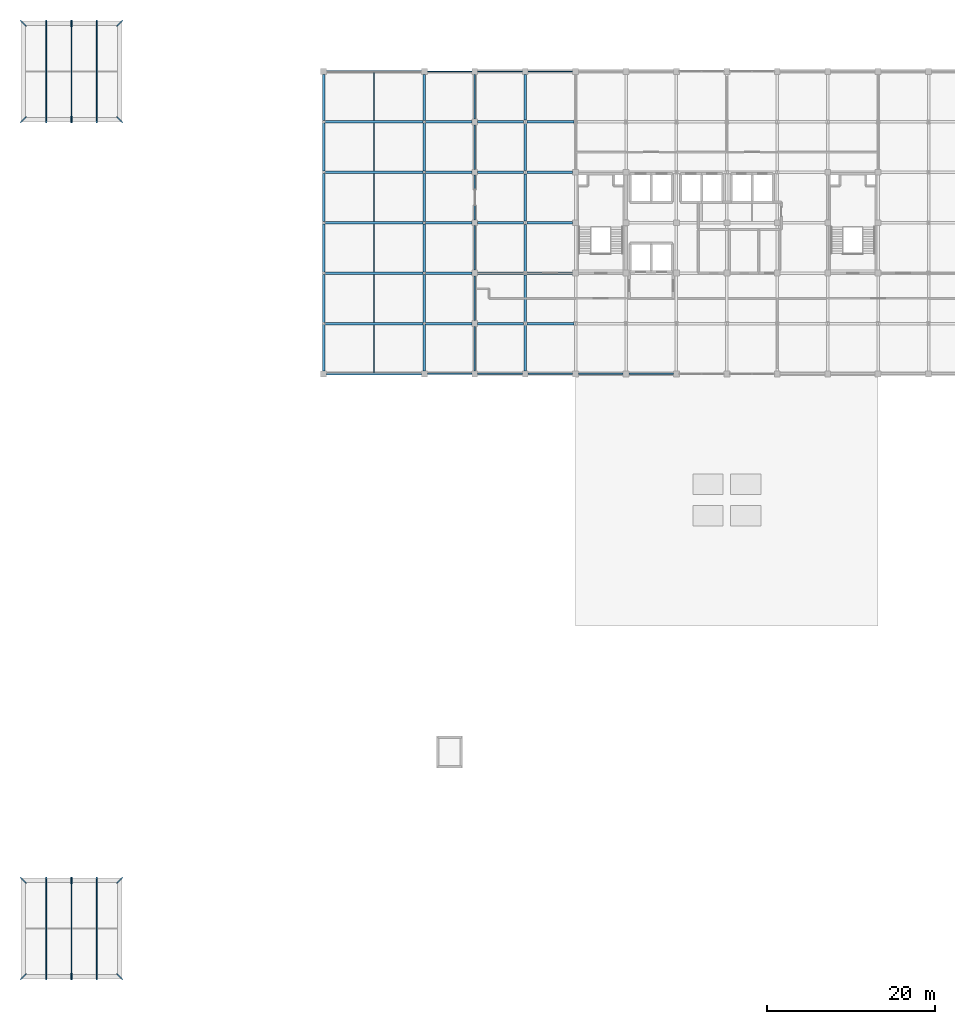
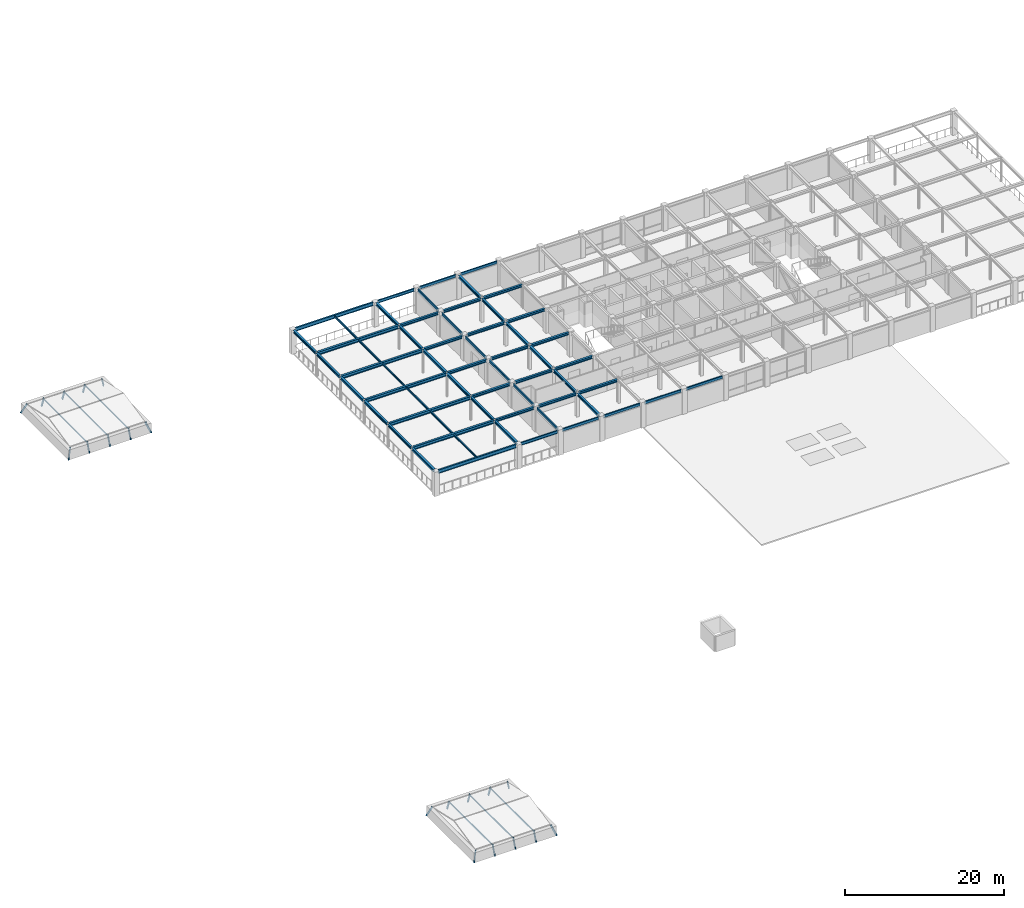
# One storey, part 10 of 25: 60 beams, 26 members.
"""IFC4 building model written with IfcOpenShell, lengths in metres."""

from ifc_helpers import new_model, si_unit, direction, frame, origin, origin_2d, place, context, subcontext, project, spatial, hollow_rectangle, i_section, extrude, material, material_profile, profile_set, type_object, element, save


model = new_model("IFC4")

# Units and contexts
model_context = context("Model", 3, precision=1e-05, world=origin(), true_north=direction((0.0, 1.0)))
body_context = subcontext(model_context, "Body", "Model", "MODEL_VIEW")
ifc_project = project(units=[si_unit("LENGTHUNIT", "METRE"), si_unit("AREAUNIT", "SQUARE_METRE"), si_unit("VOLUMEUNIT", "CUBIC_METRE"), si_unit("PLANEANGLEUNIT", "RADIAN"), si_unit("MASSUNIT", "GRAM", prefix="KILO")], contexts=[model_context])

# Site, building, storey
site_placement = place(None, origin())
site = spatial("IfcSite", under=ifc_project, at=site_placement, CompositionType="ELEMENT")
building_placement = place(site_placement, origin())
building = spatial("IfcBuilding", under=site, at=building_placement, Name="Zlatovratsky Civic Hall", CompositionType="ELEMENT")
storey_placement = place(building_placement, frame((0.0, 0.0, 21.0)))
storey = spatial("IfcBuildingStorey", under=building, at=storey_placement, Name="L05", CompositionType="ELEMENT", Elevation=21.0)

# Beams
ifc_material = material(Name="Steel S355", Category="steel")
ifc_material_profile_1 = material_profile(ifc_material, i_section(OverallWidth=0.300048828125, OverallDepth=0.487060546875, WebThickness=0.014404296875, FlangeThickness=0.017578125, FilletRadius=0.02392578125, at=origin_2d()), Name="50Sh2")
ifc_profile_set_1 = profile_set([ifc_material_profile_1], Name="Steel S355")
beam_type_1 = type_object("IfcBeamType", Name="Beam_ArchiveGirder_50Sh2", PredefinedType="BEAM", material=ifc_profile_set_1)
for number, where, z_axis, x_axis, name in (
    (1, (36.136474609375, 78.0, 3.45654296875), (1.0, 0.0, 0.0), (0.0, 1.0, 0.0), "BM-3923"),
    (2, (36.136474609375, 84.0, 3.45654296875), (1.0, 0.0, 0.0), (0.0, 1.0, 0.0), "BM-3937"),
    (3, (36.136474609375, 90.0, 3.45654296875), (1.0, 0.0, 0.0), (0.0, 1.0, 0.0), "BM-3951"),
    (4, (36.136474609375, 96.0, 3.45654296875), (1.0, 0.0, 0.0), (0.0, 1.0, 0.0), "BM-3963"),
    (5, (36.136474609375, 102.0, 3.45654296875), (1.0, 0.0, 0.0), (0.0, 1.0, 0.0), "BM-3977"),
):
    element("IfcBeam", number, at=place(storey_placement, frame(where, z_axis=z_axis, x_axis=x_axis)), inside=storey, type_object=beam_type_1, Name=name, PredefinedType="BEAM", context=body_context, shape_type="SweptSolid", body=[
        extrude(i_section(OverallWidth=0.300048828125, OverallDepth=0.487060546875, WebThickness=0.014404296875, FlangeThickness=0.017578125, FilletRadius=0.02392578125, at=origin_2d()), origin(), (0.0, 0.0, 1.0), 11.72705078125),
    ])
ifc_material_profile_2 = material_profile(ifc_material, i_section(OverallWidth=0.169921875, OverallDepth=0.446044921875, WebThickness=0.007568359375, FlangeThickness=0.010986328125, FilletRadius=0.01611328125, at=origin_2d()), Name="45B1")
ifc_profile_set_2 = profile_set([ifc_material_profile_2], Name="Steel S355")
beam_type_2 = type_object("IfcBeamType", Name="Beam_Spandrel_45B1", PredefinedType="SPANDREL", material=ifc_profile_set_2)
for number, where, z_axis, x_axis, name in (
    (6, (48.35009765625, 72.0, 3.47705078125), (1.0, 0.0, 0.0), (0.0, 1.0, 0.0), "BM-3910"),
    (7, (54.35009765625, 72.0, 3.47705078125), (1.0, 0.0, 0.0), (0.0, 1.0, 0.0), "BM-3911"),
    (8, (60.35009765625, 72.0, 3.47705078125), (1.0, 0.0, 0.0), (0.0, 1.0, 0.0), "BM-3912"),
    (9, (66.35009765625, 72.0, 3.47705078125), (1.0, 0.0, 0.0), (0.0, 1.0, 0.0), "BM-3913"),
    (10, (72.35009765625, 72.0, 3.47705078125), (1.0, 0.0, 0.0), (0.0, 1.0, 0.0), "BM-3914"),
    (11, (48.35009765625, 108.0, 3.47705078125), (1.0, 0.0, 0.0), (0.0, 1.0, 0.0), "BM-3992"),
    (12, (54.35009765625, 108.0, 3.47705078125), (1.0, 0.0, 0.0), (0.0, 1.0, 0.0), "BM-3993"),
    (13, (60.35009765625, 108.0, 3.47705078125), (1.0, 0.0, 0.0), (0.0, 1.0, 0.0), "BM-3994"),
    (14, (54.0, 72.35009765625, 3.47705078125), (0.0, 1.0, 0.0), (-1.0, 0.0, 0.0), "BM-4017"),
    (15, (54.0, 78.35009765625, 3.47705078125), (0.0, 1.0, 0.0), (-1.0, 0.0, 0.0), "BM-4018"),
    (16, (54.0, 84.35009765625, 3.47705078125), (0.0, 1.0, 0.0), (-1.0, 0.0, 0.0), "BM-4019"),
    (17, (54.0, 90.35009765625, 3.47705078125), (0.0, 1.0, 0.0), (-1.0, 0.0, 0.0), "BM-4020"),
    (18, (54.0, 96.35009765625, 3.47705078125), (0.0, 1.0, 0.0), (-1.0, 0.0, 0.0), "BM-4021"),
    (19, (54.0, 102.35009765625, 3.47705078125), (0.0, 1.0, 0.0), (-1.0, 0.0, 0.0), "BM-4022"),
):
    element("IfcBeam", number, at=place(storey_placement, frame(where, z_axis=z_axis, x_axis=x_axis)), inside=storey, type_object=beam_type_2, Name=name, PredefinedType="SPANDREL", context=body_context, shape_type="SweptSolid", body=[
        extrude(i_section(OverallWidth=0.169921875, OverallDepth=0.446044921875, WebThickness=0.007568359375, FlangeThickness=0.010986328125, FilletRadius=0.01611328125, at=origin_2d()), origin(), (0.0, 0.0, 1.0), 5.2998046875),
    ])
ifc_material_profile_3 = material_profile(ifc_material, i_section(OverallWidth=0.219970703125, OverallDepth=0.54296875, WebThickness=0.009521484375, FlangeThickness=0.013427734375, FilletRadius=0.01806640625, at=origin_2d()), Name="55B1")
ifc_profile_set_3 = profile_set([ifc_material_profile_3], Name="Steel S355")
beam_type_3 = type_object("IfcBeamType", Name="Beam_Spandrel_55B1", PredefinedType="SPANDREL", material=ifc_profile_set_3)
for number, where, z_axis, x_axis, name in (
    (20, (36.35009765625, 72.0, 3.428466796875), (1.0, 0.0, 0.0), (0.0, 1.0, 0.0), "BM-3909"),
    (21, (36.35009765625, 108.0, 3.428466796875), (1.0, 0.0, 0.0), (0.0, 1.0, 0.0), "BM-3991"),
):
    element("IfcBeam", number, at=place(storey_placement, frame(where, z_axis=z_axis, x_axis=x_axis)), inside=storey, type_object=beam_type_3, Name=name, PredefinedType="SPANDREL", context=body_context, shape_type="SweptSolid", body=[
        extrude(i_section(OverallWidth=0.219970703125, OverallDepth=0.54296875, WebThickness=0.009521484375, FlangeThickness=0.013427734375, FilletRadius=0.01806640625, at=origin_2d()), origin(), (0.0, 0.0, 1.0), 11.2998046875),
    ])
ifc_material_profile_4 = material_profile(ifc_material, i_section(OverallWidth=0.300048828125, OverallDepth=0.387939453125, WebThickness=0.009521484375, FlangeThickness=0.013916015625, FilletRadius=0.02197265625, at=origin_2d()), Name="40Sh1")
ifc_profile_set_4 = profile_set([ifc_material_profile_4], Name="Steel S355")
beam_type_4 = type_object("IfcBeamType", Name="Beam_TowerMid_40Sh1", PredefinedType="BEAM", material=ifc_profile_set_4)
beam_1_placement = place(storey_placement, frame((48.136474609375, 78.0, 3.506103515625), z_axis=(1.0, 0.0, 0.0), x_axis=(0.0, 1.0, 0.0)))
element("IfcBeam", 22, at=beam_1_placement, inside=storey, type_object=beam_type_4, Name="BM-3924", PredefinedType="BEAM", context=body_context, shape_type="SweptSolid", body=[
    extrude(i_section(OverallWidth=0.300048828125, OverallDepth=0.387939453125, WebThickness=0.009521484375, FlangeThickness=0.013916015625, FilletRadius=0.02197265625, at=origin_2d()), origin(), (0.0, 0.0, 1.0), 5.513427734375),
])
beam_2_placement = place(storey_placement, frame((54.35009765625, 78.0, 3.506103515625), z_axis=(1.0, 0.0, 0.0), x_axis=(0.0, 1.0, 0.0)))
element("IfcBeam", 23, at=beam_2_placement, inside=storey, type_object=beam_type_4, Name="BM-3925", PredefinedType="BEAM", context=body_context, shape_type="SweptSolid", body=[
    extrude(i_section(OverallWidth=0.300048828125, OverallDepth=0.387939453125, WebThickness=0.009521484375, FlangeThickness=0.013916015625, FilletRadius=0.02197265625, at=origin_2d()), origin(), (0.0, 0.0, 1.0), 5.449951171875),
])
beam_3_placement = place(storey_placement, frame((60.199951171875, 78.0, 3.506103515625), z_axis=(1.0, 0.0, 0.0), x_axis=(0.0, 1.0, 0.0)))
element("IfcBeam", 24, at=beam_3_placement, inside=storey, type_object=beam_type_4, Name="BM-3926", PredefinedType="BEAM", context=body_context, shape_type="SweptSolid", body=[
    extrude(i_section(OverallWidth=0.300048828125, OverallDepth=0.387939453125, WebThickness=0.009521484375, FlangeThickness=0.013916015625, FilletRadius=0.02197265625, at=origin_2d()), origin(), (0.0, 0.0, 1.0), 5.60009765625),
])
beam_4_placement = place(storey_placement, frame((48.136474609375, 84.0, 3.506103515625), z_axis=(1.0, 0.0, 0.0), x_axis=(0.0, 1.0, 0.0)))
element("IfcBeam", 25, at=beam_4_placement, inside=storey, type_object=beam_type_4, Name="BM-3938", PredefinedType="BEAM", context=body_context, shape_type="SweptSolid", body=[
    extrude(i_section(OverallWidth=0.300048828125, OverallDepth=0.387939453125, WebThickness=0.009521484375, FlangeThickness=0.013916015625, FilletRadius=0.02197265625, at=origin_2d()), origin(), (0.0, 0.0, 1.0), 5.513427734375),
])
for number, where, z_axis, x_axis, name in (
    (26, (54.35009765625, 84.0, 3.506103515625), (1.0, 0.0, 0.0), (0.0, 1.0, 0.0), "BM-3939"),
    (27, (60.199951171875, 84.0, 3.506103515625), (1.0, 0.0, 0.0), (0.0, 1.0, 0.0), "BM-3940"),
):
    element("IfcBeam", number, at=place(storey_placement, frame(where, z_axis=z_axis, x_axis=x_axis)), inside=storey, type_object=beam_type_4, Name=name, PredefinedType="BEAM", context=body_context, shape_type="SweptSolid", body=[
        extrude(i_section(OverallWidth=0.300048828125, OverallDepth=0.387939453125, WebThickness=0.009521484375, FlangeThickness=0.013916015625, FilletRadius=0.02197265625, at=origin_2d()), origin(), (0.0, 0.0, 1.0), 5.449951171875),
    ])
beam_5_placement = place(storey_placement, frame((48.136474609375, 90.0, 3.506103515625), z_axis=(1.0, 0.0, 0.0), x_axis=(0.0, 1.0, 0.0)))
element("IfcBeam", 28, at=beam_5_placement, inside=storey, type_object=beam_type_4, Name="BM-3952", PredefinedType="BEAM", context=body_context, shape_type="SweptSolid", body=[
    extrude(i_section(OverallWidth=0.300048828125, OverallDepth=0.387939453125, WebThickness=0.009521484375, FlangeThickness=0.013916015625, FilletRadius=0.02197265625, at=origin_2d()), origin(), (0.0, 0.0, 1.0), 5.513427734375),
])
for number, where, z_axis, x_axis, name in (
    (29, (54.35009765625, 90.0, 3.506103515625), (1.0, 0.0, 0.0), (0.0, 1.0, 0.0), "BM-3953"),
    (30, (60.199951171875, 90.0, 3.506103515625), (1.0, 0.0, 0.0), (0.0, 1.0, 0.0), "BM-3954"),
):
    element("IfcBeam", number, at=place(storey_placement, frame(where, z_axis=z_axis, x_axis=x_axis)), inside=storey, type_object=beam_type_4, Name=name, PredefinedType="BEAM", context=body_context, shape_type="SweptSolid", body=[
        extrude(i_section(OverallWidth=0.300048828125, OverallDepth=0.387939453125, WebThickness=0.009521484375, FlangeThickness=0.013916015625, FilletRadius=0.02197265625, at=origin_2d()), origin(), (0.0, 0.0, 1.0), 5.449951171875),
    ])
beam_6_placement = place(storey_placement, frame((48.136474609375, 96.0, 3.506103515625), z_axis=(1.0, 0.0, 0.0), x_axis=(0.0, 1.0, 0.0)))
element("IfcBeam", 31, at=beam_6_placement, inside=storey, type_object=beam_type_4, Name="BM-3964", PredefinedType="BEAM", context=body_context, shape_type="SweptSolid", body=[
    extrude(i_section(OverallWidth=0.300048828125, OverallDepth=0.387939453125, WebThickness=0.009521484375, FlangeThickness=0.013916015625, FilletRadius=0.02197265625, at=origin_2d()), origin(), (0.0, 0.0, 1.0), 5.513427734375),
])
for number, where, z_axis, x_axis, name in (
    (32, (54.35009765625, 96.0, 3.506103515625), (1.0, 0.0, 0.0), (0.0, 1.0, 0.0), "BM-3965"),
    (33, (60.199951171875, 96.0, 3.506103515625), (1.0, 0.0, 0.0), (0.0, 1.0, 0.0), "BM-3966"),
):
    element("IfcBeam", number, at=place(storey_placement, frame(where, z_axis=z_axis, x_axis=x_axis)), inside=storey, type_object=beam_type_4, Name=name, PredefinedType="BEAM", context=body_context, shape_type="SweptSolid", body=[
        extrude(i_section(OverallWidth=0.300048828125, OverallDepth=0.387939453125, WebThickness=0.009521484375, FlangeThickness=0.013916015625, FilletRadius=0.02197265625, at=origin_2d()), origin(), (0.0, 0.0, 1.0), 5.449951171875),
    ])
beam_7_placement = place(storey_placement, frame((48.136474609375, 102.0, 3.506103515625), z_axis=(1.0, 0.0, 0.0), x_axis=(0.0, 1.0, 0.0)))
element("IfcBeam", 34, at=beam_7_placement, inside=storey, type_object=beam_type_4, Name="BM-3978", PredefinedType="BEAM", context=body_context, shape_type="SweptSolid", body=[
    extrude(i_section(OverallWidth=0.300048828125, OverallDepth=0.387939453125, WebThickness=0.009521484375, FlangeThickness=0.013916015625, FilletRadius=0.02197265625, at=origin_2d()), origin(), (0.0, 0.0, 1.0), 5.513427734375),
])
beam_8_placement = place(storey_placement, frame((54.35009765625, 102.0, 3.506103515625), z_axis=(1.0, 0.0, 0.0), x_axis=(0.0, 1.0, 0.0)))
element("IfcBeam", 35, at=beam_8_placement, inside=storey, type_object=beam_type_4, Name="BM-3979", PredefinedType="BEAM", context=body_context, shape_type="SweptSolid", body=[
    extrude(i_section(OverallWidth=0.300048828125, OverallDepth=0.387939453125, WebThickness=0.009521484375, FlangeThickness=0.013916015625, FilletRadius=0.02197265625, at=origin_2d()), origin(), (0.0, 0.0, 1.0), 5.449951171875),
])
beam_9_placement = place(storey_placement, frame((60.199951171875, 102.0, 3.506103515625), z_axis=(1.0, 0.0, 0.0), x_axis=(0.0, 1.0, 0.0)))
element("IfcBeam", 36, at=beam_9_placement, inside=storey, type_object=beam_type_4, Name="BM-3980", PredefinedType="BEAM", context=body_context, shape_type="SweptSolid", body=[
    extrude(i_section(OverallWidth=0.300048828125, OverallDepth=0.387939453125, WebThickness=0.009521484375, FlangeThickness=0.013916015625, FilletRadius=0.02197265625, at=origin_2d()), origin(), (0.0, 0.0, 1.0), 5.60009765625),
])
beam_10_placement = place(storey_placement, frame((36.0, 72.35009765625, 3.506103515625), z_axis=(0.0, 1.0, 0.0), x_axis=(-1.0, 0.0, 0.0)))
element("IfcBeam", 37, at=beam_10_placement, inside=storey, type_object=beam_type_4, Name="BM-4005", PredefinedType="BEAM", context=body_context, shape_type="SweptSolid", body=[
    extrude(i_section(OverallWidth=0.300048828125, OverallDepth=0.387939453125, WebThickness=0.009521484375, FlangeThickness=0.013916015625, FilletRadius=0.02197265625, at=origin_2d()), origin(), (0.0, 0.0, 1.0), 5.513427734375),
])
for number, where, z_axis, x_axis, name in (
    (38, (36.0, 78.136474609375, 3.506103515625), (0.0, 1.0, 0.0), (-1.0, 0.0, 0.0), "BM-4006"),
    (39, (36.0, 84.136474609375, 3.506103515625), (0.0, 1.0, 0.0), (-1.0, 0.0, 0.0), "BM-4007"),
    (40, (36.0, 90.136474609375, 3.506103515625), (0.0, 1.0, 0.0), (-1.0, 0.0, 0.0), "BM-4008"),
    (41, (36.0, 96.136474609375, 3.506103515625), (0.0, 1.0, 0.0), (-1.0, 0.0, 0.0), "BM-4009"),
):
    element("IfcBeam", number, at=place(storey_placement, frame(where, z_axis=z_axis, x_axis=x_axis)), inside=storey, type_object=beam_type_4, Name=name, PredefinedType="BEAM", context=body_context, shape_type="SweptSolid", body=[
        extrude(i_section(OverallWidth=0.300048828125, OverallDepth=0.387939453125, WebThickness=0.009521484375, FlangeThickness=0.013916015625, FilletRadius=0.02197265625, at=origin_2d()), origin(), (0.0, 0.0, 1.0), 5.72705078125),
    ])
for number, where, z_axis, x_axis, name in (
    (42, (36.0, 102.136474609375, 3.506103515625), (0.0, 1.0, 0.0), (-1.0, 0.0, 0.0), "BM-4010"),
    (43, (48.0, 72.35009765625, 3.506103515625), (0.0, 1.0, 0.0), (-1.0, 0.0, 0.0), "BM-4011"),
):
    element("IfcBeam", number, at=place(storey_placement, frame(where, z_axis=z_axis, x_axis=x_axis)), inside=storey, type_object=beam_type_4, Name=name, PredefinedType="BEAM", context=body_context, shape_type="SweptSolid", body=[
        extrude(i_section(OverallWidth=0.300048828125, OverallDepth=0.387939453125, WebThickness=0.009521484375, FlangeThickness=0.013916015625, FilletRadius=0.02197265625, at=origin_2d()), origin(), (0.0, 0.0, 1.0), 5.513427734375),
    ])
for number, where, z_axis, x_axis, name in (
    (44, (48.0, 78.136474609375, 3.506103515625), (0.0, 1.0, 0.0), (-1.0, 0.0, 0.0), "BM-4012"),
    (45, (48.0, 84.136474609375, 3.506103515625), (0.0, 1.0, 0.0), (-1.0, 0.0, 0.0), "BM-4013"),
    (46, (48.0, 90.136474609375, 3.506103515625), (0.0, 1.0, 0.0), (-1.0, 0.0, 0.0), "BM-4014"),
    (47, (48.0, 96.136474609375, 3.506103515625), (0.0, 1.0, 0.0), (-1.0, 0.0, 0.0), "BM-4015"),
):
    element("IfcBeam", number, at=place(storey_placement, frame(where, z_axis=z_axis, x_axis=x_axis)), inside=storey, type_object=beam_type_4, Name=name, PredefinedType="BEAM", context=body_context, shape_type="SweptSolid", body=[
        extrude(i_section(OverallWidth=0.300048828125, OverallDepth=0.387939453125, WebThickness=0.009521484375, FlangeThickness=0.013916015625, FilletRadius=0.02197265625, at=origin_2d()), origin(), (0.0, 0.0, 1.0), 5.72705078125),
    ])
beam_11_placement = place(storey_placement, frame((48.0, 102.136474609375, 3.506103515625), z_axis=(0.0, 1.0, 0.0), x_axis=(-1.0, 0.0, 0.0)))
element("IfcBeam", 48, at=beam_11_placement, inside=storey, type_object=beam_type_4, Name="BM-4016", PredefinedType="BEAM", context=body_context, shape_type="SweptSolid", body=[
    extrude(i_section(OverallWidth=0.300048828125, OverallDepth=0.387939453125, WebThickness=0.009521484375, FlangeThickness=0.013916015625, FilletRadius=0.02197265625, at=origin_2d()), origin(), (0.0, 0.0, 1.0), 5.513427734375),
])
beam_12_placement = place(storey_placement, frame((60.0, 72.35009765625, 3.506103515625), z_axis=(0.0, 1.0, 0.0), x_axis=(-1.0, 0.0, 0.0)))
element("IfcBeam", 49, at=beam_12_placement, inside=storey, type_object=beam_type_4, Name="BM-4023", PredefinedType="BEAM", context=body_context, shape_type="SweptSolid", body=[
    extrude(i_section(OverallWidth=0.300048828125, OverallDepth=0.387939453125, WebThickness=0.009521484375, FlangeThickness=0.013916015625, FilletRadius=0.02197265625, at=origin_2d()), origin(), (0.0, 0.0, 1.0), 5.449951171875),
])
for number, where, z_axis, x_axis, name in (
    (50, (60.0, 78.199951171875, 3.506103515625), (0.0, 1.0, 0.0), (-1.0, 0.0, 0.0), "BM-4024"),
    (51, (60.0, 84.199951171875, 3.506103515625), (0.0, 1.0, 0.0), (-1.0, 0.0, 0.0), "BM-4025"),
    (52, (60.0, 90.199951171875, 3.506103515625), (0.0, 1.0, 0.0), (-1.0, 0.0, 0.0), "BM-4026"),
    (53, (60.0, 96.199951171875, 3.506103515625), (0.0, 1.0, 0.0), (-1.0, 0.0, 0.0), "BM-4027"),
):
    element("IfcBeam", number, at=place(storey_placement, frame(where, z_axis=z_axis, x_axis=x_axis)), inside=storey, type_object=beam_type_4, Name=name, PredefinedType="BEAM", context=body_context, shape_type="SweptSolid", body=[
        extrude(i_section(OverallWidth=0.300048828125, OverallDepth=0.387939453125, WebThickness=0.009521484375, FlangeThickness=0.013916015625, FilletRadius=0.02197265625, at=origin_2d()), origin(), (0.0, 0.0, 1.0), 5.60009765625),
    ])
beam_13_placement = place(storey_placement, frame((60.0, 102.199951171875, 3.506103515625), z_axis=(0.0, 1.0, 0.0), x_axis=(-1.0, 0.0, 0.0)))
element("IfcBeam", 54, at=beam_13_placement, inside=storey, type_object=beam_type_4, Name="BM-4028", PredefinedType="BEAM", context=body_context, shape_type="SweptSolid", body=[
    extrude(i_section(OverallWidth=0.300048828125, OverallDepth=0.387939453125, WebThickness=0.009521484375, FlangeThickness=0.013916015625, FilletRadius=0.02197265625, at=origin_2d()), origin(), (0.0, 0.0, 1.0), 5.449951171875),
])

# Members
ifc_material_profile_5 = material_profile(ifc_material, hollow_rectangle(XDim=0.10009765625, YDim=0.179931640625, WallThickness=0.008056640625, at=origin_2d()), Name="RHS 180x100x8")
ifc_profile_set_5 = profile_set([ifc_material_profile_5], Name="Steel S355")
member_type_1 = type_object("IfcMemberType", Name="Collar_MansardTie_RHS180", PredefinedType="COLLAR", material=ifc_profile_set_5)
for number, where, z_axis, x_axis, name in (
    (55, (3.0, 0.550048828125, 1.080078125), (0.0, 1.0, 0.0), (-1.0, 0.0, 0.0), "MB-0005"),
    (56, (6.0, 0.550048828125, 1.080078125), (0.0, 1.0, 0.0), (-1.0, 0.0, 0.0), "MB-0008"),
    (57, (9.0, 0.550048828125, 1.080078125), (0.0, 1.0, 0.0), (-1.0, 0.0, 0.0), "MB-0011"),
    (58, (3.0, 102.550048828125, 1.080078125), (0.0, 1.0, 0.0), (-1.0, 0.0, 0.0), "MB-0031"),
    (59, (6.0, 102.550048828125, 1.080078125), (0.0, 1.0, 0.0), (-1.0, 0.0, 0.0), "MB-0034"),
    (60, (9.0, 102.550048828125, 1.080078125), (0.0, 1.0, 0.0), (-1.0, 0.0, 0.0), "MB-0037"),
):
    element("IfcMember", number, at=place(storey_placement, frame(where, z_axis=z_axis, x_axis=x_axis)), inside=storey, type_object=member_type_1, Name=name, PredefinedType="COLLAR", context=body_context, shape_type="SweptSolid", body=[
        extrude(hollow_rectangle(XDim=0.10009765625, YDim=0.179931640625, WallThickness=0.008056640625, at=origin_2d()), origin(), (0.0, 0.0, 1.0), 10.89990234375),
    ])

# Beams
ifc_material_profile_6 = material_profile(ifc_material, i_section(OverallWidth=0.14892578125, OverallDepth=0.2958984375, WebThickness=0.005615234375, FlangeThickness=0.008056640625, FilletRadius=0.012939453125, at=origin_2d()), Name="30B1")
ifc_profile_set_6 = profile_set([ifc_material_profile_6], Name="Steel S355")
beam_type_5 = type_object("IfcBeamType", Name="Joist_Tower_30B1", PredefinedType="JOIST", material=ifc_profile_set_6)
beam_14_placement = place(storey_placement, frame((42.0, 72.110107421875, 3.552001953125), z_axis=(0.0, 1.0, 0.0), x_axis=(-1.0, 0.0, 0.0)))
element("IfcBeam", 61, at=beam_14_placement, inside=storey, type_object=beam_type_5, Name="BM-4095", PredefinedType="JOIST", context=body_context, shape_type="SweptSolid", body=[
    extrude(i_section(OverallWidth=0.14892578125, OverallDepth=0.2958984375, WebThickness=0.005615234375, FlangeThickness=0.008056640625, FilletRadius=0.012939453125, at=origin_2d()), origin(), (0.0, 0.0, 1.0), 5.739990234375),
])
for number, where, z_axis, x_axis, name in (
    (62, (42.0, 78.14990234375, 3.552001953125), (0.0, 1.0, 0.0), (-1.0, 0.0, 0.0), "BM-4097"),
    (63, (42.0, 84.14990234375, 3.552001953125), (0.0, 1.0, 0.0), (-1.0, 0.0, 0.0), "BM-4099"),
    (64, (42.0, 90.14990234375, 3.552001953125), (0.0, 1.0, 0.0), (-1.0, 0.0, 0.0), "BM-4101"),
    (65, (42.0, 96.14990234375, 3.552001953125), (0.0, 1.0, 0.0), (-1.0, 0.0, 0.0), "BM-4105"),
):
    element("IfcBeam", number, at=place(storey_placement, frame(where, z_axis=z_axis, x_axis=x_axis)), inside=storey, type_object=beam_type_5, Name=name, PredefinedType="JOIST", context=body_context, shape_type="SweptSolid", body=[
        extrude(i_section(OverallWidth=0.14892578125, OverallDepth=0.2958984375, WebThickness=0.005615234375, FlangeThickness=0.008056640625, FilletRadius=0.012939453125, at=origin_2d()), origin(), (0.0, 0.0, 1.0), 5.7001953125),
    ])
beam_15_placement = place(storey_placement, frame((42.0, 102.14990234375, 3.552001953125), z_axis=(0.0, 1.0, 0.0), x_axis=(-1.0, 0.0, 0.0)))
element("IfcBeam", 66, at=beam_15_placement, inside=storey, type_object=beam_type_5, Name="BM-4107", PredefinedType="JOIST", context=body_context, shape_type="SweptSolid", body=[
    extrude(i_section(OverallWidth=0.14892578125, OverallDepth=0.2958984375, WebThickness=0.005615234375, FlangeThickness=0.008056640625, FilletRadius=0.012939453125, at=origin_2d()), origin(), (0.0, 0.0, 1.0), 5.739990234375),
])

# Members
ifc_material_profile_7 = material_profile(ifc_material, hollow_rectangle(XDim=0.139892578125, YDim=0.239990234375, WallThickness=0.010009765625, at=origin_2d()), Name="RHS 240x140x10")
ifc_profile_set_7 = profile_set([ifc_material_profile_7], Name="Steel S355")
member_type_2 = type_object("IfcMemberType", Name="Rafter_MansardPodium_RHS240", PredefinedType="RAFTER", material=ifc_profile_set_7)
for number, where, z_axis, x_axis, name in (
    (67, (0.0, 0.0, -0.300048828125), (0.325529249466, 0.325529249466, 0.887728232898), (-0.707106781187, 0.707106781187, 0.0), "MB-0001"),
    (68, (0.0, 12.0, -0.300048828125), (0.325529249466, -0.325529249466, 0.887728232898), (0.707106781187, 0.707106781187, 0.0), "MB-0002"),
):
    element("IfcMember", number, at=place(storey_placement, frame(where, z_axis=z_axis, x_axis=x_axis)), inside=storey, type_object=member_type_2, Name=name, PredefinedType="RAFTER", context=body_context, shape_type="SweptSolid", body=[
        extrude(hollow_rectangle(XDim=0.139892578125, YDim=0.239990234375, WallThickness=0.010009765625, at=origin_2d()), origin(), (0.0, 0.0, 1.0), 1.689697265625),
    ])
for number, where, z_axis, x_axis, name in (
    (69, (3.0, 0.0, -0.300048828125), (0.0, 0.344281589127, 0.93886643746), (-1.0, 0.0, 0.0), "MB-0003"),
    (70, (3.0, 12.0, -0.300048828125), (0.0, -0.344281589127, 0.93886643746), (1.0, 0.0, 0.0), "MB-0004"),
    (71, (6.0, 0.0, -0.300048828125), (0.0, 0.344281589127, 0.93886643746), (-1.0, 0.0, 0.0), "MB-0006"),
    (72, (6.0, 12.0, -0.300048828125), (0.0, -0.344281589127, 0.93886643746), (1.0, 0.0, 0.0), "MB-0007"),
    (73, (9.0, 0.0, -0.300048828125), (0.0, 0.344281589127, 0.93886643746), (-1.0, 0.0, 0.0), "MB-0009"),
    (74, (9.0, 12.0, -0.300048828125), (0.0, -0.344281589127, 0.93886643746), (1.0, 0.0, 0.0), "MB-0010"),
):
    element("IfcMember", number, at=place(storey_placement, frame(where, z_axis=z_axis, x_axis=x_axis)), inside=storey, type_object=member_type_2, Name=name, PredefinedType="RAFTER", context=body_context, shape_type="SweptSolid", body=[
        extrude(hollow_rectangle(XDim=0.139892578125, YDim=0.239990234375, WallThickness=0.010009765625, at=origin_2d()), origin(), (0.0, 0.0, 1.0), 1.59765625),
    ])
for number, where, z_axis, x_axis, name in (
    (75, (12.0, 0.0, -0.300048828125), (-0.325529249466, 0.325529249466, 0.887728232898), (-0.707106781187, -0.707106781187, 0.0), "MB-0012"),
    (76, (12.0, 12.0, -0.300048828125), (-0.325529249466, -0.325529249466, 0.887728232898), (0.707106781187, -0.707106781187, 0.0), "MB-0013"),
    (77, (0.0, 102.0, -0.300048828125), (0.325529249466, 0.325529249466, 0.887728232898), (-0.707106781187, 0.707106781187, 0.0), "MB-0027"),
    (78, (0.0, 114.0, -0.300048828125), (0.325529249466, -0.325529249466, 0.887728232898), (0.707106781187, 0.707106781187, 0.0), "MB-0028"),
):
    element("IfcMember", number, at=place(storey_placement, frame(where, z_axis=z_axis, x_axis=x_axis)), inside=storey, type_object=member_type_2, Name=name, PredefinedType="RAFTER", context=body_context, shape_type="SweptSolid", body=[
        extrude(hollow_rectangle(XDim=0.139892578125, YDim=0.239990234375, WallThickness=0.010009765625, at=origin_2d()), origin(), (0.0, 0.0, 1.0), 1.689697265625),
    ])
for number, where, z_axis, x_axis, name in (
    (79, (3.0, 102.0, -0.300048828125), (0.0, 0.344281589127, 0.93886643746), (-1.0, 0.0, 0.0), "MB-0029"),
    (80, (3.0, 114.0, -0.300048828125), (0.0, -0.344281589127, 0.93886643746), (1.0, 0.0, 0.0), "MB-0030"),
    (81, (6.0, 102.0, -0.300048828125), (0.0, 0.344281589127, 0.93886643746), (-1.0, 0.0, 0.0), "MB-0032"),
    (82, (6.0, 114.0, -0.300048828125), (0.0, -0.344281589127, 0.93886643746), (1.0, 0.0, 0.0), "MB-0033"),
    (83, (9.0, 102.0, -0.300048828125), (0.0, 0.344281589127, 0.93886643746), (-1.0, 0.0, 0.0), "MB-0035"),
    (84, (9.0, 114.0, -0.300048828125), (0.0, -0.344281589127, 0.93886643746), (1.0, 0.0, 0.0), "MB-0036"),
):
    element("IfcMember", number, at=place(storey_placement, frame(where, z_axis=z_axis, x_axis=x_axis)), inside=storey, type_object=member_type_2, Name=name, PredefinedType="RAFTER", context=body_context, shape_type="SweptSolid", body=[
        extrude(hollow_rectangle(XDim=0.139892578125, YDim=0.239990234375, WallThickness=0.010009765625, at=origin_2d()), origin(), (0.0, 0.0, 1.0), 1.59765625),
    ])
for number, where, z_axis, x_axis, name in (
    (85, (12.0, 102.0, -0.300048828125), (-0.325529249466, 0.325529249466, 0.887728232898), (-0.707106781187, -0.707106781187, 0.0), "MB-0038"),
    (86, (12.0, 114.0, -0.300048828125), (-0.325529249466, -0.325529249466, 0.887728232898), (0.707106781187, -0.707106781187, 0.0), "MB-0039"),
):
    element("IfcMember", number, at=place(storey_placement, frame(where, z_axis=z_axis, x_axis=x_axis)), inside=storey, type_object=member_type_2, Name=name, PredefinedType="RAFTER", context=body_context, shape_type="SweptSolid", body=[
        extrude(hollow_rectangle(XDim=0.139892578125, YDim=0.239990234375, WallThickness=0.010009765625, at=origin_2d()), origin(), (0.0, 0.0, 1.0), 1.689697265625),
    ])

save(model, "model.ifc")
